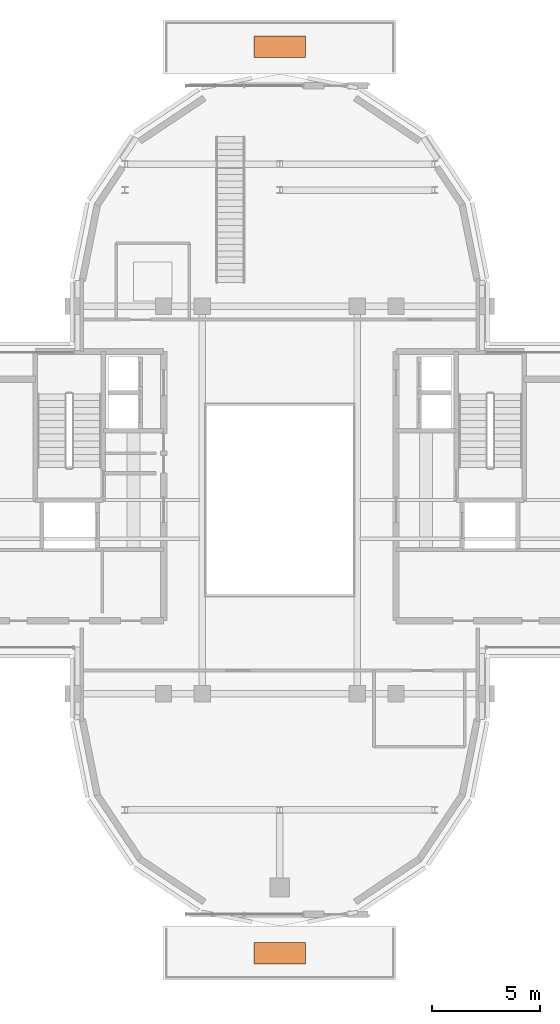
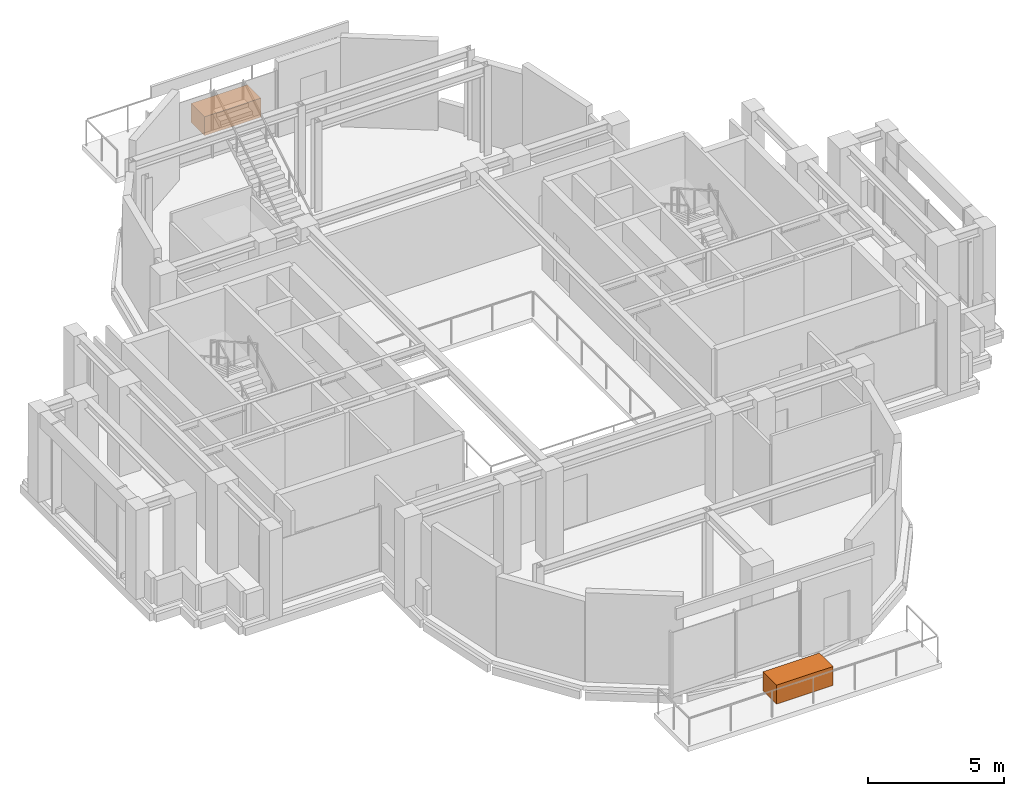
# One storey, part 14 of 14: 2 proxies.
"""IFC4 building model written with IfcOpenShell, lengths in metres."""

from ifc_helpers import new_model, si_unit, direction, frame, origin, origin_2d, place, context, subcontext, project, spatial, rectangle, extrude, source, transform, mapped, material, type_object, element, save


model = new_model("IFC4")

# Units and contexts
model_context = context("Model", 3, precision=1e-05, world=origin(), true_north=direction((0.0, 1.0)))
body_context = subcontext(model_context, "Body", "Model", "MODEL_VIEW")
ifc_project = project(units=[si_unit("LENGTHUNIT", "METRE"), si_unit("AREAUNIT", "SQUARE_METRE"), si_unit("VOLUMEUNIT", "CUBIC_METRE"), si_unit("PLANEANGLEUNIT", "RADIAN"), si_unit("MASSUNIT", "GRAM", prefix="KILO")], contexts=[model_context])

# Site, building, storey
site_placement = place(None, origin())
site = spatial("IfcSite", under=ifc_project, at=site_placement, CompositionType="ELEMENT")
building_placement = place(site_placement, origin())
building = spatial("IfcBuilding", under=site, at=building_placement, Name="Keilestroom Media Tower", CompositionType="ELEMENT")
storey_placement = place(building_placement, frame((0.0, 0.0, 219.39990234375)))
storey = spatial("IfcBuildingStorey", under=building, at=storey_placement, Name="L60", CompositionType="ELEMENT", Elevation=219.39990234375)

# Proxies
ifc_material = material(Name="Precast concrete C40/50", Category="concrete")
building_element_proxy_type = type_object("IfcBuildingElementProxyType", Name="Sky-Garden-Planter-Box-PRX-1", PredefinedType="USERDEFINED", material=ifc_material)
shared_shape = source(origin(), body_context, "Body", "SweptSolid", [
    extrude(rectangle(XDim=2.39990234375, YDim=1.0, at=origin_2d()), origin(), (0.0, 0.0, 1.0), 0.85009765625),
])
for number, where, z_axis, x_axis, name in (
    (1, (0.0, 21.050048828125, 0.0), (0.0, 0.0, 1.0), (1.0, 0.0, 0.0), "L60 Sky-Garden Planter Box SG60-N"),
    (2, (0.0, -21.050048828125, 0.0), (0.0, 0.0, 1.0), (1.0, 0.0, 0.0), "L60 Sky-Garden Planter Box SG60-S"),
):
    element("IfcBuildingElementProxy", number, at=place(storey_placement, frame(where, z_axis=z_axis, x_axis=x_axis)), inside=storey, type_object=building_element_proxy_type, Name=name, ObjectType="PLANTER", PredefinedType="USERDEFINED", context=body_context, shape_type="MappedRepresentation", body=[
        mapped(shared_shape, transform((0.0, 0.0, 0.0), x_axis=(1.0, 0.0, 0.0), y_axis=(0.0, 1.0, 0.0), z_axis=(0.0, 0.0, 1.0), scale=1.0)),
    ])

save(model, "model.ifc")
